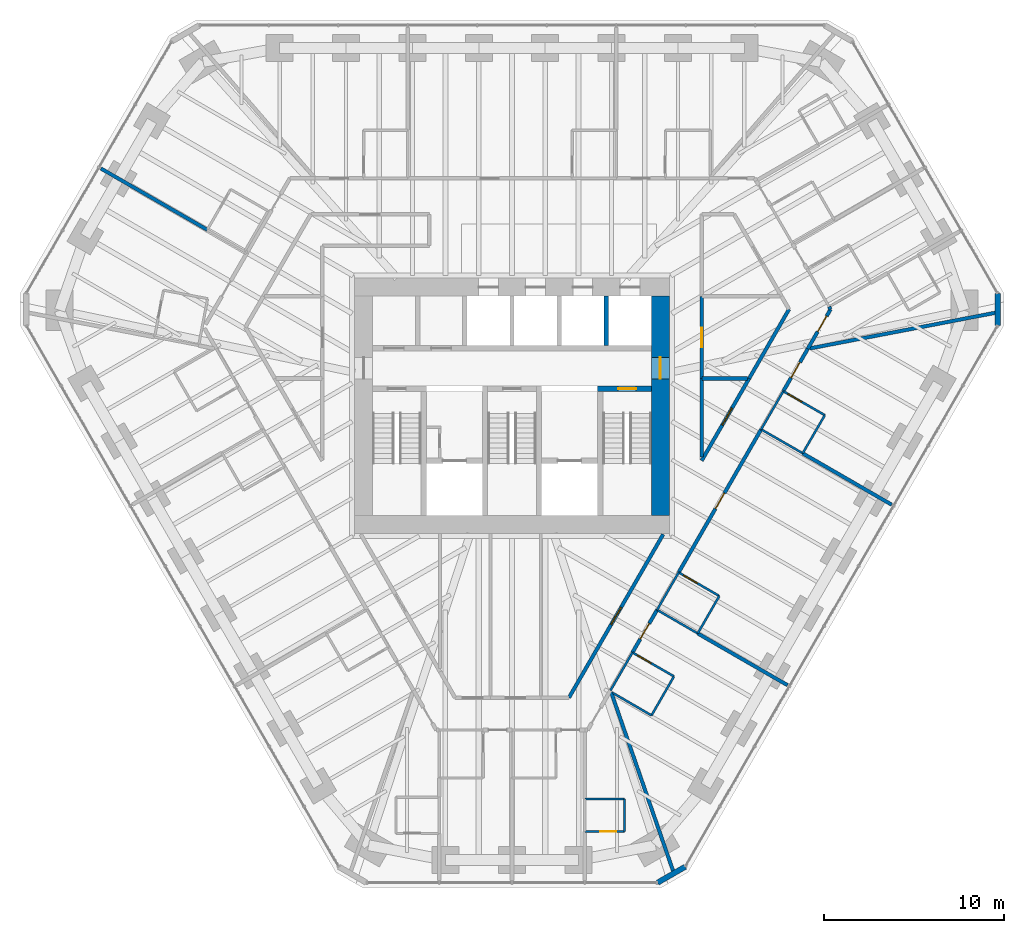
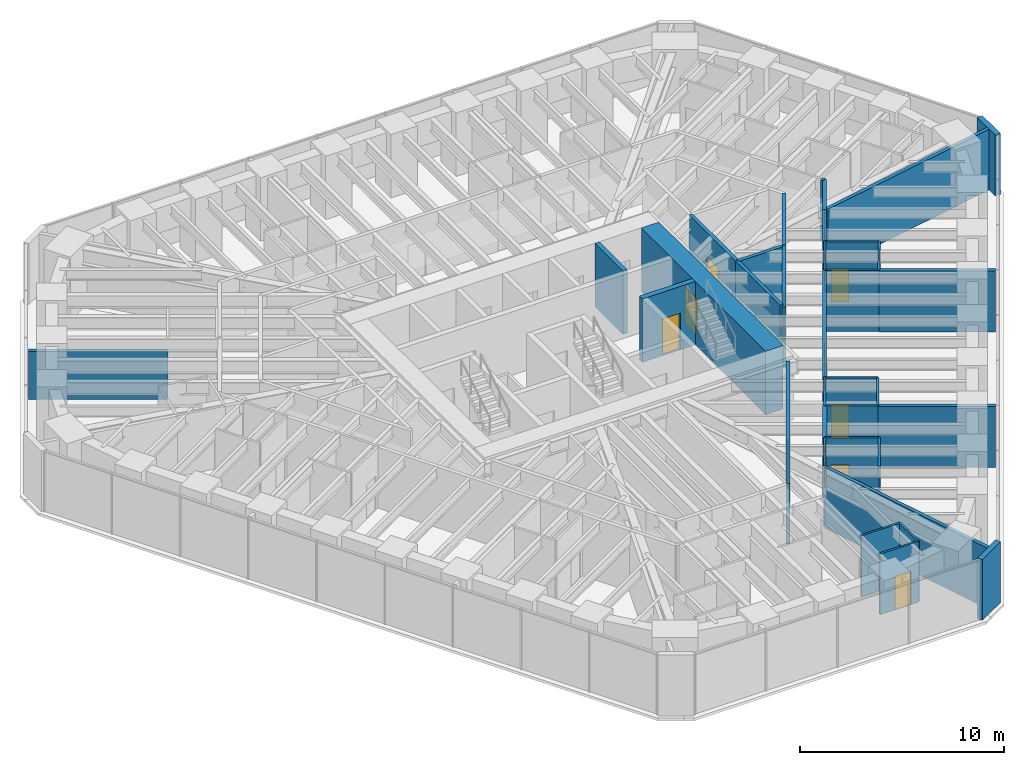
# One storey, part 13 of 17: 36 walls, 13 doors, 13 openings.
"""IFC4 building model written with IfcOpenShell, lengths in metres."""

from ifc_helpers import new_model, si_unit, direction, frame, frame_2d, origin, place, context, subcontext, project, spatial, rectangle, extrude, material, layer, layer_set, type_object, element, fill, save


model = new_model("IFC4")

# Units and contexts
model_context = context("Model", 3, precision=1e-05, world=origin(), true_north=direction((0.0, 1.0)))
body_context = subcontext(model_context, "Body", "Model", "MODEL_VIEW")
ifc_project = project(units=[si_unit("LENGTHUNIT", "METRE"), si_unit("AREAUNIT", "SQUARE_METRE"), si_unit("VOLUMEUNIT", "CUBIC_METRE"), si_unit("PLANEANGLEUNIT", "RADIAN"), si_unit("MASSUNIT", "GRAM", prefix="KILO")], contexts=[model_context])

# Site, building, storey
site_placement = place(None, origin())
site = spatial("IfcSite", under=ifc_project, at=site_placement, CompositionType="ELEMENT")
building_placement = place(site_placement, origin())
building = spatial("IfcBuilding", under=site, at=building_placement, Name="Sandreach Pilgrim Tower", CompositionType="ELEMENT")
storey_placement = place(building_placement, frame((0.0, 0.0, 217.39990234375)))
storey = spatial("IfcBuildingStorey", under=building, at=storey_placement, Name="L54", CompositionType="ELEMENT", Elevation=217.39990234375)

# Wall, opening, door
ifc_material_1 = material(Name="Moisture-resistant gypsum board on steel studs", Category="steel")
ifc_layer_1 = layer(ifc_material_1, 0.1201171875)
ifc_layer_set_1 = layer_set([ifc_layer_1], Name="Bathroom partition 120")
wall_type_1 = type_object("IfcWallType", Name="Bathroom partition 120", PredefinedType="PARTITIONING", material=ifc_layer_set_1)
wall_1_placement = place(storey_placement, frame((4.050048828125, -23.679931640625, 0.0), z_axis=(0.0, 0.0, 1.0), x_axis=(1.0, 0.0, 0.0)))
wall_1 = element("IfcWall", 1, at=wall_1_placement, inside=storey, type_object=wall_type_1, Name="Bathroom partition L54-085", PredefinedType="PARTITIONING", context=body_context, shape_type="SweptSolid", body=[
    extrude(rectangle(XDim=2.199951171875, YDim=0.1201171875, at=frame_2d((1.10009765625, 0.0))), origin(), (0.0, 0.0, 1.0), 3.64013671875),
])
opening_1_placement = place(wall_1_placement, frame((0.85009765625, 0.0, 0.0)))
opening_1 = element("IfcOpeningElement", 2, at=opening_1_placement, cuts=wall_1, Name="Opening D09-11B", PredefinedType="OPENING", context=body_context, shape_type="SweptSolid", body=[
    extrude(rectangle(XDim=0.89990234375, YDim=2.030029296875, at=frame_2d((0.449951171875, 1.01513671875))), frame((0.0, 0.06005859375, 0.0), z_axis=(0.0, -1.0, 0.0), x_axis=(1.0, 0.0, 0.0)), (0.0, 0.0, 1.0), 0.1201171875),
])
ifc_material_2 = material(Name="Timber door, steel frame", Category="steel")
door_type_1 = type_object("IfcDoorType", Name="Bathroom door", OperationType="SINGLE_SWING_LEFT", PredefinedType="DOOR", material=ifc_material_2)
door_1_placement = place(opening_1_placement, origin())
door_1 = element("IfcDoor", 3, at=door_1_placement, inside=storey, type_object=door_type_1, Name="Door 5411B", OperationType="SINGLE_SWING_RIGHT", OverallHeight=2.030029296875, OverallWidth=0.89990234375, PredefinedType="DOOR", context=body_context, shape_type="SweptSolid", body=[
    extrude(rectangle(XDim=0.89990234375, YDim=2.030029296875, at=frame_2d((0.449951171875, 1.01513671875))), frame((0.0, 0.02490234375, 0.0), z_axis=(0.0, -1.0, 0.0), x_axis=(1.0, 0.0, 0.0)), (0.0, 0.0, 1.0), 0.050048828125),
])
fill(opening_1, door_1)

# Walls
wall_2_placement = place(storey_placement, frame((5.47998046875, -15.830078125, 0.0), z_axis=(0.0, 0.0, 1.0), x_axis=(0.50122183301, 0.865318828013, 0.0)))
element("IfcWall", 4, at=wall_2_placement, inside=storey, type_object=wall_type_1, Name="Bathroom partition L54-089", PredefinedType="PARTITIONING", context=body_context, shape_type="SweptSolid", body=[
    extrude(rectangle(XDim=2.4375, YDim=0.1201171875, at=frame_2d((1.21875, 0.0))), origin(), (0.0, 0.0, 1.0), 3.64013671875),
])
wall_3_placement = place(storey_placement, frame((5.615234375, -15.97509765625, 0.0), z_axis=(0.0, 0.0, 1.0), x_axis=(0.864873056518, -0.501990633487, 0.0)))
element("IfcWall", 5, at=wall_3_placement, inside=storey, type_object=wall_type_1, Name="Bathroom partition L54-091", PredefinedType="PARTITIONING", context=body_context, shape_type="SweptSolid", body=[
    extrude(rectangle(XDim=2.47998046875, YDim=0.1201171875, at=frame_2d((1.239990234375, 0.0))), origin(), (0.0, 0.0, 1.0), 3.0380859375),
])
wall_4_placement = place(storey_placement, frame((6.25, -23.679931640625, 0.0), z_axis=(0.0, 0.0, 1.0), x_axis=(0.0, 1.0, 0.0)))
element("IfcWall", 6, at=wall_4_placement, inside=storey, type_object=wall_type_1, Name="Bathroom partition L54-096", PredefinedType="PARTITIONING", context=body_context, shape_type="SweptSolid", body=[
    extrude(rectangle(XDim=1.809814453125, YDim=0.1201171875, at=frame_2d((0.90478515625, 0.0))), origin(), (0.0, 0.0, 1.0), 3.64013671875),
])
wall_5_placement = place(storey_placement, frame((6.25, -21.8701171875, 0.0), z_axis=(0.0, 0.0, 1.0), x_axis=(-1.0, 0.0, 0.0)))
element("IfcWall", 7, at=wall_5_placement, inside=storey, type_object=wall_type_1, Name="Bathroom partition L54-097", PredefinedType="PARTITIONING", context=body_context, shape_type="SweptSolid", body=[
    extrude(rectangle(XDim=2.199951171875, YDim=0.1201171875, at=frame_2d((1.10009765625, 0.0))), origin(), (0.0, 0.0, 1.0), 3.64013671875),
])
wall_6_placement = place(storey_placement, frame((7.760009765625, -17.219970703125, 0.0), z_axis=(0.0, 0.0, 1.0), x_axis=(0.499159685399, 0.866510016372, 0.0)))
element("IfcWall", 8, at=wall_6_placement, inside=storey, type_object=wall_type_1, Name="Bathroom partition L54-098", PredefinedType="PARTITIONING", context=body_context, shape_type="SweptSolid", body=[
    extrude(rectangle(XDim=2.504150390625, YDim=0.1201171875, at=frame_2d((1.251953125, 0.0))), origin(), (0.0, 0.0, 1.0), 3.64013671875),
])
wall_7_placement = place(storey_placement, frame((8.070068359375, -11.35009765625, 0.0), z_axis=(0.0, 0.0, 1.0), x_axis=(0.499693115345, 0.866202511239, 0.0)))
element("IfcWall", 9, at=wall_7_placement, inside=storey, type_object=wall_type_1, Name="Bathroom partition L54-100", PredefinedType="PARTITIONING", context=body_context, shape_type="SweptSolid", body=[
    extrude(rectangle(XDim=2.4013671875, YDim=0.1201171875, at=frame_2d((1.20068359375, 0.0))), origin(), (0.0, 0.0, 1.0), 3.64013671875),
])
wall_8_placement = place(storey_placement, frame((8.070068359375, -11.35009765625, 0.0), z_axis=(0.0, 0.0, 1.0), x_axis=(0.865195830568, -0.501434118073, 0.0)))
element("IfcWall", 10, at=wall_8_placement, inside=storey, type_object=wall_type_1, Name="Bathroom partition L54-101", PredefinedType="PARTITIONING", context=body_context, shape_type="SweptSolid", body=[
    extrude(rectangle(XDim=2.612060546875, YDim=0.1201171875, at=frame_2d((1.30615234375, 0.0))), origin(), (0.0, 0.0, 1.0), 3.64013671875),
])

# Wall, opening, door
wall_9_placement = place(storey_placement, frame((9.010009765625, -15.050048828125, 0.0), z_axis=(0.0, 0.0, 1.0), x_axis=(-0.866615255992, 0.498976951453, 0.0)))
wall_9 = element("IfcWall", 11, at=wall_9_placement, inside=storey, type_object=wall_type_1, Name="Bathroom partition L54-105", PredefinedType="PARTITIONING", context=body_context, shape_type="SweptSolid", body=[
    extrude(rectangle(XDim=2.66552734375, YDim=0.1201171875, at=frame_2d((1.332763671875, 0.0))), origin(), (0.0, 0.0, 1.0), 3.64013671875),
])
opening_2_placement = place(wall_9_placement, frame((1.465576171875, 0.0, 0.0)))
opening_2 = element("IfcOpeningElement", 12, at=opening_2_placement, cuts=wall_9, Name="Opening D09-10B", PredefinedType="OPENING", context=body_context, shape_type="SweptSolid", body=[
    extrude(rectangle(XDim=0.89990234375, YDim=2.030029296875, at=frame_2d((0.449951171875, 1.01513671875))), frame((0.0, 0.06005859375, 0.0), z_axis=(0.0, -1.0, 0.0), x_axis=(1.0, 0.0, 0.0)), (0.0, 0.0, 1.0), 0.1201171875),
])
door_2_placement = place(opening_2_placement, origin())
door_2 = element("IfcDoor", 13, at=door_2_placement, inside=storey, type_object=door_type_1, Name="Door 5410B", OperationType="SINGLE_SWING_RIGHT", OverallHeight=2.030029296875, OverallWidth=0.89990234375, PredefinedType="DOOR", context=body_context, shape_type="SweptSolid", body=[
    extrude(rectangle(XDim=0.89990234375, YDim=2.030029296875, at=frame_2d((0.449951171875, 1.01513671875))), frame((0.0, 0.02490234375, 0.0), z_axis=(0.0, -1.0, 0.0), x_axis=(1.0, 0.0, 0.0)), (0.0, 0.0, 1.0), 0.050048828125),
])
fill(opening_2, door_2)

# Wall
wall_10_placement = place(storey_placement, frame((10.330078125, -12.659912109375, 0.0), z_axis=(0.0, 0.0, 1.0), x_axis=(0.499737123639, 0.866177122335, 0.0)))
element("IfcWall", 14, at=wall_10_placement, inside=storey, type_object=wall_type_1, Name="Bathroom partition L54-107", PredefinedType="PARTITIONING", context=body_context, shape_type="SweptSolid", body=[
    extrude(rectangle(XDim=2.401123046875, YDim=0.1201171875, at=frame_2d((1.20068359375, 0.0))), origin(), (0.0, 0.0, 1.0), 3.64013671875),
])

# Wall, opening, door
wall_11_placement = place(storey_placement, frame((11.530029296875, -10.580078125, 0.0), z_axis=(0.0, 0.0, 1.0), x_axis=(-0.865155281359, 0.50150407689, 0.0)))
wall_11 = element("IfcWall", 15, at=wall_11_placement, inside=storey, type_object=wall_type_1, Name="Bathroom partition L54-118", PredefinedType="PARTITIONING", context=body_context, shape_type="SweptSolid", body=[
    extrude(rectangle(XDim=2.6123046875, YDim=0.1201171875, at=frame_2d((1.30615234375, 0.0))), origin(), (0.0, 0.0, 1.0), 3.64013671875),
])
opening_3_placement = place(wall_11_placement, frame((1.412109375, 0.0, 0.0)))
opening_3 = element("IfcOpeningElement", 16, at=opening_3_placement, cuts=wall_11, Name="Opening D09-09B", PredefinedType="OPENING", context=body_context, shape_type="SweptSolid", body=[
    extrude(rectangle(XDim=0.89990234375, YDim=2.030029296875, at=frame_2d((0.449951171875, 1.01513671875))), frame((0.0, 0.06005859375, 0.0), z_axis=(0.0, -1.0, 0.0), x_axis=(1.0, 0.0, 0.0)), (0.0, 0.0, 1.0), 0.1201171875),
])
door_3_placement = place(opening_3_placement, origin())
door_3 = element("IfcDoor", 17, at=door_3_placement, inside=storey, type_object=door_type_1, Name="Door 5409B", OperationType="SINGLE_SWING_RIGHT", OverallHeight=2.030029296875, OverallWidth=0.89990234375, PredefinedType="DOOR", context=body_context, shape_type="SweptSolid", body=[
    extrude(rectangle(XDim=0.89990234375, YDim=2.030029296875, at=frame_2d((0.449951171875, 1.01513671875))), frame((0.0, 0.02490234375, 0.0), z_axis=(0.0, -1.0, 0.0), x_axis=(1.0, 0.0, 0.0)), (0.0, 0.0, 1.0), 0.050048828125),
])
fill(opening_3, door_3)

# Walls
wall_12_placement = place(storey_placement, frame((13.860107421875, -1.31005859375, 0.0), z_axis=(0.0, 0.0, 1.0), x_axis=(0.501813488763, 0.864975850817, 0.0)))
element("IfcWall", 18, at=wall_12_placement, inside=storey, type_object=wall_type_1, Name="Bathroom partition L54-125", PredefinedType="PARTITIONING", context=body_context, shape_type="SweptSolid", body=[
    extrude(rectangle(XDim=2.451171875, YDim=0.1201171875, at=frame_2d((1.2255859375, 0.0))), origin(), (0.0, 0.0, 1.0), 3.64013671875),
])
wall_13_placement = place(storey_placement, frame((16.169921875, -2.639892578125, 0.0), z_axis=(0.0, 0.0, 1.0), x_axis=(-0.86663205897, 0.498947767172, 0.0)))
element("IfcWall", 19, at=wall_13_placement, inside=storey, type_object=wall_type_1, Name="Bathroom partition L54-134", PredefinedType="PARTITIONING", context=body_context, shape_type="SweptSolid", body=[
    extrude(rectangle(XDim=2.665283203125, YDim=0.1201171875, at=frame_2d((1.33251953125, 0.0))), origin(), (0.0, 0.0, 1.0), 3.64013671875),
])
wall_14_placement = place(storey_placement, frame((16.169921875, -2.639892578125, 0.0), z_axis=(0.0, 0.0, 1.0), x_axis=(0.501856726365, 0.86495076519, 0.0)))
element("IfcWall", 20, at=wall_14_placement, inside=storey, type_object=wall_type_1, Name="Bathroom partition L54-135", PredefinedType="PARTITIONING", context=body_context, shape_type="SweptSolid", body=[
    extrude(rectangle(XDim=2.450927734375, YDim=0.1201171875, at=frame_2d((1.2255859375, 0.0))), origin(), (0.0, 0.0, 1.0), 3.64013671875),
])

# Wall, opening, door
wall_15_placement = place(storey_placement, frame((17.39990234375, -0.52001953125, 0.0), z_axis=(0.0, 0.0, 1.0), x_axis=(-0.866592449628, 0.499016559092, 0.0)))
wall_15 = element("IfcWall", 21, at=wall_15_placement, inside=storey, type_object=wall_type_1, Name="Bathroom partition L54-140", PredefinedType="PARTITIONING", context=body_context, shape_type="SweptSolid", body=[
    extrude(rectangle(XDim=2.665283203125, YDim=0.1201171875, at=frame_2d((1.33251953125, 0.0))), origin(), (0.0, 0.0, 1.0), 3.64013671875),
])
opening_4_placement = place(wall_15_placement, frame((1.465576171875, 0.0, 0.0)))
opening_4 = element("IfcOpeningElement", 22, at=opening_4_placement, cuts=wall_15, Name="Opening D09-08B", PredefinedType="OPENING", context=body_context, shape_type="SweptSolid", body=[
    extrude(rectangle(XDim=0.89990234375, YDim=2.030029296875, at=frame_2d((0.449951171875, 1.01513671875))), frame((0.0, 0.06005859375, 0.0), z_axis=(0.0, -1.0, 0.0), x_axis=(1.0, 0.0, 0.0)), (0.0, 0.0, 1.0), 0.1201171875),
])
door_4_placement = place(opening_4_placement, origin())
door_4 = element("IfcDoor", 23, at=door_4_placement, inside=storey, type_object=door_type_1, Name="Door 5408B", OperationType="SINGLE_SWING_RIGHT", OverallHeight=2.030029296875, OverallWidth=0.89990234375, PredefinedType="DOOR", context=body_context, shape_type="SweptSolid", body=[
    extrude(rectangle(XDim=0.89990234375, YDim=2.030029296875, at=frame_2d((0.449951171875, 1.01513671875))), frame((0.0, 0.02490234375, 0.0), z_axis=(0.0, -1.0, 0.0), x_axis=(1.0, 0.0, 0.0)), (0.0, 0.0, 1.0), 0.050048828125),
])
fill(opening_4, door_4)

ifc_material_3 = material(Name="Concrete 10000 psi", Category="concrete")
ifc_layer_2 = layer(ifc_material_3, 0.300048828125)
ifc_layer_set_2 = layer_set([ifc_layer_2], Name="Core inner wall 300")
wall_type_2 = type_object("IfcWallType", Name="Core inner wall 300", PredefinedType="SHEAR", material=ifc_layer_set_2)
wall_16_placement = place(storey_placement, frame((4.75, 0.949951171875, 0.0), z_axis=(0.0, 0.0, 1.0), x_axis=(1.0, 0.0, 0.0)))
wall_16 = element("IfcWall", 24, at=wall_16_placement, inside=storey, type_object=wall_type_2, Name="Core wall SN2 L54", PredefinedType="SHEAR", context=body_context, shape_type="SweptSolid", body=[
    extrude(rectangle(XDim=3.0, YDim=0.300048828125, at=frame_2d((1.5, 0.0))), origin(), (0.0, 0.0, 1.0), 3.800048828125),
])
opening_5_placement = place(wall_16_placement, frame((1.14990234375, 0.0, 0.0)))
opening_5 = element("IfcOpeningElement", 25, at=opening_5_placement, cuts=wall_16, Name="Opening D10S-ST2", PredefinedType="OPENING", context=body_context, shape_type="SweptSolid", body=[
    extrude(rectangle(XDim=1.0, YDim=2.199951171875, at=frame_2d((0.5, 1.10009765625))), frame((0.0, 0.14990234375, 0.0), z_axis=(0.0, -1.0, 0.0), x_axis=(1.0, 0.0, 0.0)), (0.0, 0.0, 1.0), 0.300048828125),
])
ifc_material_4 = material(Name="Steel door and frame", Category="steel")
door_type_2 = type_object("IfcDoorType", Name="Stair door", OperationType="SINGLE_SWING_LEFT", PredefinedType="DOOR", material=ifc_material_4)
door_5_placement = place(opening_5_placement, origin())
door_5 = element("IfcDoor", 26, at=door_5_placement, inside=storey, type_object=door_type_2, Name="Stair door ST2 L54", OperationType="SINGLE_SWING_RIGHT", OverallHeight=2.199951171875, OverallWidth=1.0, PredefinedType="DOOR", context=body_context, shape_type="SweptSolid", body=[
    extrude(rectangle(XDim=1.0, YDim=2.199951171875, at=frame_2d((0.5, 1.10009765625))), frame((0.0, 0.02490234375, 0.0), z_axis=(0.0, -1.0, 0.0), x_axis=(1.0, 0.0, 0.0)), (0.0, 0.0, 1.0), 0.050048828125),
])
fill(opening_5, door_5)

ifc_material_5 = material(Name="Concrete 10000 psi", Category="concrete")
ifc_layer_3 = layer(ifc_material_5, 1.0)
ifc_layer_set_3 = layer_set([ifc_layer_3], Name="Core wall 1000")
wall_type_3 = type_object("IfcWallType", Name="Core wall 1000", PredefinedType="SHEAR", material=ifc_layer_set_3)
wall_17_placement = place(storey_placement, frame((8.25, -6.10009765625, 0.0), z_axis=(0.0, 0.0, 1.0), x_axis=(0.0, 1.0, 0.0)))
wall_17 = element("IfcWall", 27, at=wall_17_placement, inside=storey, type_object=wall_type_3, Name="Core wall E L54", PredefinedType="SHEAR", context=body_context, shape_type="SweptSolid", body=[
    extrude(rectangle(XDim=12.2001953125, YDim=1.0, at=frame_2d((6.10009765625, 0.0))), origin(), (0.0, 0.0, 1.0), 3.800048828125),
])
opening_6_placement = place(wall_17_placement, frame((7.60009765625, 0.0, 0.0)))
opening_6 = element("IfcOpeningElement", 28, at=opening_6_placement, cuts=wall_17, Name="Opening D12F-E", PredefinedType="OPENING", context=body_context, shape_type="SweptSolid", body=[
    extrude(rectangle(XDim=1.199951171875, YDim=2.199951171875, at=frame_2d((0.60009765625, 1.10009765625))), frame((0.0, 0.5, 0.0), z_axis=(0.0, -1.0, 0.0), x_axis=(1.0, 0.0, 0.0)), (0.0, 0.0, 1.0), 1.0),
])
ifc_material_6 = material(Name="Steel door and frame", Category="steel")
door_type_3 = type_object("IfcDoorType", Name="Fire lobby door", OperationType="SINGLE_SWING_LEFT", PredefinedType="DOOR", material=ifc_material_6)
door_6_placement = place(opening_6_placement, origin())
door_6 = element("IfcDoor", 29, at=door_6_placement, inside=storey, type_object=door_type_3, Name="Fire service lobby door E L54", OperationType="SINGLE_SWING_RIGHT", OverallHeight=2.199951171875, OverallWidth=1.199951171875, PredefinedType="DOOR", context=body_context, shape_type="SweptSolid", body=[
    extrude(rectangle(XDim=1.199951171875, YDim=2.199951171875, at=frame_2d((0.60009765625, 1.10009765625))), frame((0.0, 0.02490234375, 0.0), z_axis=(0.0, -1.0, 0.0), x_axis=(1.0, 0.0, 0.0)), (0.0, 0.0, 1.0), 0.050048828125),
])
fill(opening_6, door_6)

ifc_material_7 = material(Name="Gypsum board on steel studs, two layers each side", Category="steel")
ifc_layer_4 = layer(ifc_material_7, 0.199951171875)
ifc_layer_set_4 = layer_set([ifc_layer_4], Name="Corridor wall 200")
wall_type_4 = type_object("IfcWallType", Name="Corridor wall 200", PredefinedType="PARTITIONING", material=ifc_layer_set_4)
wall_18_placement = place(storey_placement, frame((8.070068359375, -11.35009765625, 0.0), z_axis=(0.0, 0.0, 1.0), x_axis=(-0.499889730522, -0.866089058537, 0.0)))
wall_18 = element("IfcWall", 30, at=wall_18_placement, inside=storey, type_object=wall_type_4, Name="Corridor wall L54-099", PredefinedType="PARTITIONING", context=body_context, shape_type="SweptSolid", body=[
    extrude(rectangle(XDim=2.7373046875, YDim=0.199951171875, at=frame_2d((1.36865234375, 0.0))), origin(), (0.0, 0.0, 1.0), 3.64013671875),
])
opening_7_placement = place(wall_18_placement, frame((0.868896484375, 0.0, 0.0)))
opening_7 = element("IfcOpeningElement", 31, at=opening_7_placement, cuts=wall_18, Name="Opening D10-10", PredefinedType="OPENING", context=body_context, shape_type="SweptSolid", body=[
    extrude(rectangle(XDim=1.0, YDim=2.1298828125, at=frame_2d((0.5, 1.06494140625))), frame((0.0, 0.10009765625, 0.0), z_axis=(0.0, -1.0, 0.0), x_axis=(1.0, 0.0, 0.0)), (0.0, 0.0, 1.0), 0.199951171875),
])
ifc_material_8 = material(Name="Steel door and frame", Category="steel")
door_type_4 = type_object("IfcDoorType", Name="Guest room entry door", OperationType="SINGLE_SWING_LEFT", PredefinedType="DOOR", material=ifc_material_8)
door_7_placement = place(opening_7_placement, origin())
door_7 = element("IfcDoor", 32, at=door_7_placement, inside=storey, type_object=door_type_4, Name="Door 5410", OperationType="SINGLE_SWING_LEFT", OverallHeight=2.1298828125, OverallWidth=1.0, PredefinedType="DOOR", context=body_context, shape_type="SweptSolid", body=[
    extrude(rectangle(XDim=1.0, YDim=2.1298828125, at=frame_2d((0.5, 1.06494140625))), frame((0.0, 0.02490234375, 0.0), z_axis=(0.0, -1.0, 0.0), x_axis=(1.0, 0.0, 0.0)), (0.0, 0.0, 1.0), 0.050048828125),
])
fill(opening_7, door_7)

wall_19_placement = place(storey_placement, frame((8.409912109375, -7.14990234375, 0.0), z_axis=(0.0, 0.0, 1.0), x_axis=(-0.499828628176, -0.866124322748, 0.0)))
wall_19 = element("IfcWall", 33, at=wall_19_placement, inside=storey, type_object=wall_type_4, Name="Corridor wall L54-102", PredefinedType="PARTITIONING", context=body_context, shape_type="SweptSolid", body=[
    extrude(rectangle(XDim=10.483642578125, YDim=0.199951171875, at=frame_2d((5.24169921875, 0.0))), origin(), (0.0, 0.0, 1.0), 3.64013671875),
])
opening_8_placement = place(wall_19_placement, frame((4.691650390625, 0.0, 0.0)))
opening_8 = element("IfcOpeningElement", 34, at=opening_8_placement, cuts=wall_19, Name="Opening D11H-S4", PredefinedType="OPENING", context=body_context, shape_type="SweptSolid", body=[
    extrude(rectangle(XDim=1.10009765625, YDim=2.199951171875, at=frame_2d((0.550048828125, 1.10009765625))), frame((0.0, 0.10009765625, 0.0), z_axis=(0.0, -1.0, 0.0), x_axis=(1.0, 0.0, 0.0)), (0.0, 0.0, 1.0), 0.199951171875),
])
ifc_material_9 = material(Name="Steel door and frame", Category="steel")
door_type_5 = type_object("IfcDoorType", Name="Back of house door", OperationType="SINGLE_SWING_LEFT", PredefinedType="DOOR", material=ifc_material_9)
door_8_placement = place(opening_8_placement, origin())
door_8 = element("IfcDoor", 35, at=door_8_placement, inside=storey, type_object=door_type_5, Name="Door 54S4", OperationType="SINGLE_SWING_LEFT", OverallHeight=2.199951171875, OverallWidth=1.10009765625, PredefinedType="DOOR", context=body_context, shape_type="SweptSolid", body=[
    extrude(rectangle(XDim=1.10009765625, YDim=2.199951171875, at=frame_2d((0.550048828125, 1.10009765625))), frame((0.0, 0.02490234375, 0.0), z_axis=(0.0, -1.0, 0.0), x_axis=(1.0, 0.0, 0.0)), (0.0, 0.0, 1.0), 0.050048828125),
])
fill(opening_8, door_8)

wall_20_placement = place(storey_placement, frame((9.27001953125, -9.27001953125, 0.0), z_axis=(0.0, 0.0, 1.0), x_axis=(0.499543028754, 0.866289075554, 0.0)))
wall_20 = element("IfcWall", 36, at=wall_20_placement, inside=storey, type_object=wall_type_4, Name="Corridor wall L54-106", PredefinedType="PARTITIONING", context=body_context, shape_type="SweptSolid", body=[
    extrude(rectangle(XDim=9.1884765625, YDim=0.199951171875, at=frame_2d((4.59423828125, 0.0))), origin(), (0.0, 0.0, 1.0), 3.64013671875),
])
opening_9_placement = place(wall_20_placement, frame((4.09423828125, 0.0, 0.0)))
opening_9 = element("IfcOpeningElement", 37, at=opening_9_placement, cuts=wall_20, Name="Opening D10-09", PredefinedType="OPENING", context=body_context, shape_type="SweptSolid", body=[
    extrude(rectangle(XDim=1.0, YDim=2.1298828125, at=frame_2d((0.5, 1.06494140625))), frame((0.0, 0.10009765625, 0.0), z_axis=(0.0, -1.0, 0.0), x_axis=(1.0, 0.0, 0.0)), (0.0, 0.0, 1.0), 0.199951171875),
])
door_9_placement = place(opening_9_placement, origin())
door_9 = element("IfcDoor", 38, at=door_9_placement, inside=storey, type_object=door_type_4, Name="Door 5409", OperationType="SINGLE_SWING_LEFT", OverallHeight=2.1298828125, OverallWidth=1.0, PredefinedType="DOOR", context=body_context, shape_type="SweptSolid", body=[
    extrude(rectangle(XDim=1.0, YDim=2.1298828125, at=frame_2d((0.5, 1.06494140625))), frame((0.0, 0.02490234375, 0.0), z_axis=(0.0, -1.0, 0.0), x_axis=(1.0, 0.0, 0.0)), (0.0, 0.0, 1.0), 0.050048828125),
])
fill(opening_9, door_9)

# Wall
wall_21_placement = place(storey_placement, frame((10.550048828125, -2.85498046875, 0.0), z_axis=(0.0, 0.0, 1.0), x_axis=(0.0, 1.0, 0.0)))
element("IfcWall", 39, at=wall_21_placement, inside=storey, type_object=wall_type_4, Name="Corridor wall L54-109", PredefinedType="PARTITIONING", context=body_context, shape_type="SweptSolid", body=[
    extrude(rectangle(XDim=4.375, YDim=0.199951171875, at=frame_2d((2.1875, 0.0))), origin(), (0.0, 0.0, 1.0), 3.64013671875),
])

# Wall, opening, door
wall_22_placement = place(storey_placement, frame((10.550048828125, 1.52001953125, 0.0), z_axis=(0.0, 0.0, 1.0), x_axis=(0.0, 1.0, 0.0)))
wall_22 = element("IfcWall", 40, at=wall_22_placement, inside=storey, type_object=wall_type_4, Name="Corridor wall L54-110", PredefinedType="PARTITIONING", context=body_context, shape_type="SweptSolid", body=[
    extrude(rectangle(XDim=4.570068359375, YDim=0.199951171875, at=frame_2d((2.28515625, 0.0))), origin(), (0.0, 0.0, 1.0), 3.64013671875),
])
opening_10_placement = place(wall_22_placement, frame((1.735107421875, 0.0, 0.0)))
opening_10 = element("IfcOpeningElement", 41, at=opening_10_placement, cuts=wall_22, Name="Opening D11H-M06", PredefinedType="OPENING", context=body_context, shape_type="SweptSolid", body=[
    extrude(rectangle(XDim=1.10009765625, YDim=2.199951171875, at=frame_2d((0.550048828125, 1.10009765625))), frame((0.0, 0.10009765625, 0.0), z_axis=(0.0, -1.0, 0.0), x_axis=(1.0, 0.0, 0.0)), (0.0, 0.0, 1.0), 0.199951171875),
])
door_10_placement = place(opening_10_placement, origin())
door_10 = element("IfcDoor", 42, at=door_10_placement, inside=storey, type_object=door_type_5, Name="Door 54M06", OperationType="SINGLE_SWING_LEFT", OverallHeight=2.199951171875, OverallWidth=1.10009765625, PredefinedType="DOOR", context=body_context, shape_type="SweptSolid", body=[
    extrude(rectangle(XDim=1.10009765625, YDim=2.199951171875, at=frame_2d((0.550048828125, 1.10009765625))), frame((0.0, 0.02490234375, 0.0), z_axis=(0.0, -1.0, 0.0), x_axis=(1.0, 0.0, 0.0)), (0.0, 0.0, 1.0), 0.050048828125),
])
fill(opening_10, door_10)

wall_23_placement = place(storey_placement, frame((13.18994140625, 1.52001953125, 0.0), z_axis=(0.0, 0.0, 1.0), x_axis=(-0.500193590286, -0.865913605527, 0.0)))
wall_23 = element("IfcWall", 43, at=wall_23_placement, inside=storey, type_object=wall_type_4, Name="Corridor wall L54-120", PredefinedType="PARTITIONING", context=body_context, shape_type="SweptSolid", body=[
    extrude(rectangle(XDim=5.27783203125, YDim=0.199951171875, at=frame_2d((2.638916015625, 0.0))), origin(), (0.0, 0.0, 1.0), 3.64013671875),
])
opening_11_placement = place(wall_23_placement, frame((1.89990234375, 0.0, 0.0)))
opening_11 = element("IfcOpeningElement", 44, at=opening_11_placement, cuts=wall_23, Name="Opening D11H-M04", PredefinedType="OPENING", context=body_context, shape_type="SweptSolid", body=[
    extrude(rectangle(XDim=1.10009765625, YDim=2.199951171875, at=frame_2d((0.550048828125, 1.10009765625))), frame((0.0, 0.10009765625, 0.0), z_axis=(0.0, -1.0, 0.0), x_axis=(1.0, 0.0, 0.0)), (0.0, 0.0, 1.0), 0.199951171875),
])
door_11_placement = place(opening_11_placement, origin())
door_11 = element("IfcDoor", 45, at=door_11_placement, inside=storey, type_object=door_type_5, Name="Door 54M04", OperationType="SINGLE_SWING_LEFT", OverallHeight=2.199951171875, OverallWidth=1.10009765625, PredefinedType="DOOR", context=body_context, shape_type="SweptSolid", body=[
    extrude(rectangle(XDim=1.10009765625, YDim=2.199951171875, at=frame_2d((0.550048828125, 1.10009765625))), frame((0.0, 0.02490234375, 0.0), z_axis=(0.0, -1.0, 0.0), x_axis=(1.0, 0.0, 0.0)), (0.0, 0.0, 1.0), 0.050048828125),
])
fill(opening_11, door_11)

wall_24_placement = place(storey_placement, frame((15.090087890625, 0.81005859375, 0.0), z_axis=(0.0, 0.0, 1.0), x_axis=(0.499282656393, 0.866439166373, 0.0)))
wall_24 = element("IfcWall", 46, at=wall_24_placement, inside=storey, type_object=wall_type_4, Name="Corridor wall L54-129", PredefinedType="PARTITIONING", context=body_context, shape_type="SweptSolid", body=[
    extrude(rectangle(XDim=2.7236328125, YDim=0.199951171875, at=frame_2d((1.36181640625, 0.0))), origin(), (0.0, 0.0, 1.0), 3.64013671875),
])
opening_12_placement = place(wall_24_placement, frame((0.86181640625, 0.0, 0.0)))
opening_12 = element("IfcOpeningElement", 47, at=opening_12_placement, cuts=wall_24, Name="Opening D10-08", PredefinedType="OPENING", context=body_context, shape_type="SweptSolid", body=[
    extrude(rectangle(XDim=1.0, YDim=2.1298828125, at=frame_2d((0.5, 1.06494140625))), frame((0.0, 0.10009765625, 0.0), z_axis=(0.0, -1.0, 0.0), x_axis=(1.0, 0.0, 0.0)), (0.0, 0.0, 1.0), 0.199951171875),
])
door_12_placement = place(opening_12_placement, origin())
door_12 = element("IfcDoor", 48, at=door_12_placement, inside=storey, type_object=door_type_4, Name="Door 5408", OperationType="SINGLE_SWING_LEFT", OverallHeight=2.1298828125, OverallWidth=1.0, PredefinedType="DOOR", context=body_context, shape_type="SweptSolid", body=[
    extrude(rectangle(XDim=1.0, YDim=2.1298828125, at=frame_2d((0.5, 1.06494140625))), frame((0.0, 0.02490234375, 0.0), z_axis=(0.0, -1.0, 0.0), x_axis=(1.0, 0.0, 0.0)), (0.0, 0.0, 1.0), 0.050048828125),
])
fill(opening_12, door_12)

# Wall
wall_25_placement = place(storey_placement, frame((15.409912109375, 5.3701171875, 0.0), z_axis=(0.0, 0.0, 1.0), x_axis=(-0.499513190454, -0.866306281036, 0.0)))
element("IfcWall", 49, at=wall_25_placement, inside=storey, type_object=wall_type_4, Name="Corridor wall L54-130", PredefinedType="PARTITIONING", context=body_context, shape_type="SweptSolid", body=[
    extrude(rectangle(XDim=4.4443359375, YDim=0.199951171875, at=frame_2d((2.22216796875, 0.0))), origin(), (0.0, 0.0, 1.0), 3.64013671875),
])

# Wall, opening, door
wall_26_placement = place(storey_placement, frame((16.449951171875, 3.169921875, 0.0), z_axis=(0.0, 0.0, 1.0), x_axis=(0.499922110319, 0.866070368743, 0.0)))
wall_26 = element("IfcWall", 50, at=wall_26_placement, inside=storey, type_object=wall_type_4, Name="Corridor wall L54-137", PredefinedType="PARTITIONING", context=body_context, shape_type="SweptSolid", body=[
    extrude(rectangle(XDim=2.54052734375, YDim=0.199951171875, at=frame_2d((1.270263671875, 0.0))), origin(), (0.0, 0.0, 1.0), 3.64013671875),
])
opening_13_placement = place(wall_26_placement, frame((1.10009765625, 0.0, 0.0)))
opening_13 = element("IfcOpeningElement", 51, at=opening_13_placement, cuts=wall_26, Name="Opening D10-07", PredefinedType="OPENING", context=body_context, shape_type="SweptSolid", body=[
    extrude(rectangle(XDim=1.0, YDim=2.1298828125, at=frame_2d((0.5, 1.06494140625))), frame((0.0, 0.10009765625, 0.0), z_axis=(0.0, -1.0, 0.0), x_axis=(1.0, 0.0, 0.0)), (0.0, 0.0, 1.0), 0.199951171875),
])
door_13_placement = place(opening_13_placement, origin())
door_13 = element("IfcDoor", 52, at=door_13_placement, inside=storey, type_object=door_type_4, Name="Door 5407", OperationType="SINGLE_SWING_RIGHT", OverallHeight=2.1298828125, OverallWidth=1.0, PredefinedType="DOOR", context=body_context, shape_type="SweptSolid", body=[
    extrude(rectangle(XDim=1.0, YDim=2.1298828125, at=frame_2d((0.5, 1.06494140625))), frame((0.0, 0.02490234375, 0.0), z_axis=(0.0, -1.0, 0.0), x_axis=(1.0, 0.0, 0.0)), (0.0, 0.0, 1.0), 0.050048828125),
])
fill(opening_13, door_13)

# Walls
wall_27_placement = place(storey_placement, frame((17.719970703125, 5.3701171875, 0.0), z_axis=(0.0, 0.0, 1.0), x_axis=(-0.540386452408, 0.841416948994, 0.0)))
element("IfcWall", 53, at=wall_27_placement, inside=storey, type_object=wall_type_4, Name="Corridor wall L54-143", PredefinedType="PARTITIONING", context=body_context, shape_type="SweptSolid", body=[
    extrude(rectangle(XDim=0.166259765625, YDim=0.199951171875, at=frame_2d((0.0830078125, 0.0))), origin(), (0.0, 0.0, 1.0), 3.64013671875),
])
ifc_material_10 = material(Name="Double steel stud acoustic wall, gypsum board", Category="steel")
ifc_layer_5 = layer(ifc_material_10, 0.199951171875)
ifc_layer_set_5 = layer_set([ifc_layer_5], Name="Party wall 200")
wall_type_5 = type_object("IfcWallType", Name="Party wall 200", PredefinedType="PARTITIONING", material=ifc_layer_set_5)
wall_28_placement = place(storey_placement, frame((-16.949951171875, 9.7900390625, 0.0), z_axis=(0.0, 0.0, 1.0), x_axis=(-0.866371236465, 0.499400521251, 0.0)))
element("IfcWall", 54, at=wall_28_placement, inside=storey, type_object=wall_type_5, Name="Party wall L54-011", PredefinedType="PARTITIONING", context=body_context, shape_type="SweptSolid", body=[
    extrude(rectangle(XDim=6.82861328125, YDim=0.199951171875, at=frame_2d((3.414306640625, 0.0))), origin(), (0.0, 0.0, 1.0), 2.878173828125),
])
wall_29_placement = place(storey_placement, frame((5.515380859375, -15.93212890625, 0.0), z_axis=(0.0, 0.0, 1.0), x_axis=(0.327594697431, -0.944818349851, 0.0)))
element("IfcWall", 55, at=wall_29_placement, inside=storey, type_object=wall_type_5, Name="Party wall L54-090", PredefinedType="PARTITIONING", context=body_context, shape_type="SweptSolid", body=[
    extrude(rectangle(XDim=10.668212890625, YDim=0.199951171875, at=frame_2d((5.333984375, 0.0))), origin(), (0.0, 0.0, 1.0), 3.64013671875),
])
wall_30_placement = place(storey_placement, frame((10.330078125, -12.659912109375, 0.0), z_axis=(0.0, 0.0, 1.0), x_axis=(0.866342721203, -0.499449986905, 0.0)))
element("IfcWall", 56, at=wall_30_placement, inside=storey, type_object=wall_type_5, Name="Party wall L54-108", PredefinedType="PARTITIONING", context=body_context, shape_type="SweptSolid", body=[
    extrude(rectangle(XDim=5.7666015625, YDim=0.199951171875, at=frame_2d((2.88330078125, 0.0))), origin(), (0.0, 0.0, 1.0), 3.64013671875),
])
wall_31_placement = place(storey_placement, frame((10.56005859375, 1.52001953125, 0.0), z_axis=(0.0, 0.0, 1.0), x_axis=(1.0, 0.0, 0.0)))
element("IfcWall", 57, at=wall_31_placement, inside=storey, type_object=wall_type_5, Name="Party wall L54-112", PredefinedType="PARTITIONING", context=body_context, shape_type="SweptSolid", body=[
    extrude(rectangle(XDim=2.550048828125, YDim=0.199951171875, at=frame_2d((1.27490234375, 0.0))), origin(), (0.0, 0.0, 1.0), 3.64013671875),
])
wall_32_placement = place(storey_placement, frame((16.168212890625, -2.642822265625, 0.0), z_axis=(0.0, 0.0, 1.0), x_axis=(0.865980633471, -0.500077536441, 0.0)))
element("IfcWall", 58, at=wall_32_placement, inside=storey, type_object=wall_type_5, Name="Party wall L54-133", PredefinedType="PARTITIONING", context=body_context, shape_type="SweptSolid", body=[
    extrude(rectangle(XDim=5.71337890625, YDim=0.199951171875, at=frame_2d((2.856689453125, 0.0))), origin(), (0.0, 0.0, 1.0), 3.64013671875),
])
wall_33_placement = place(storey_placement, frame((27.04052734375, 5.204345703125, 0.0), z_axis=(0.0, 0.0, 1.0), x_axis=(-0.98204561609, -0.188643600256, 0.0)))
element("IfcWall", 59, at=wall_33_placement, inside=storey, type_object=wall_type_5, Name="Party wall L54-157", PredefinedType="PARTITIONING", context=body_context, shape_type="SweptSolid", body=[
    extrude(rectangle(XDim=10.6640625, YDim=0.199951171875, at=frame_2d((5.33203125, 0.0))), origin(), (0.0, 0.0, 1.0), 3.64013671875),
])
ifc_material_11 = material(Name="Gypsum shaft wall on steel studs, two layers of shaft liner board", Category="steel")
ifc_layer_6 = layer(ifc_material_11, 0.25)
ifc_layer_set_6 = layer_set([ifc_layer_6], Name="Shaft partition 250")
wall_type_6 = type_object("IfcWallType", Name="Shaft partition 250", PredefinedType="PARTITIONING", material=ifc_layer_set_6)
wall_34_placement = place(storey_placement, frame((5.25, 3.35009765625, 0.0), z_axis=(0.0, 0.0, 1.0), x_axis=(0.0, 1.0, 0.0)))
element("IfcWall", 60, at=wall_34_placement, inside=storey, type_object=wall_type_6, Name="Shaft partition NS4 L54", PredefinedType="PARTITIONING", context=body_context, shape_type="SweptSolid", body=[
    extrude(rectangle(XDim=2.75, YDim=0.25, at=frame_2d((1.375, 0.0))), origin(), (0.0, 0.0, 1.0), 3.800048828125),
])
ifc_material_12 = material(Name="Terracotta rainscreen on concrete", Category="masonry")
ifc_layer_7 = layer(ifc_material_12, 0.300048828125)
ifc_layer_set_7 = layer_set([ifc_layer_7], Name="Terracotta chamfer pier")
wall_type_7 = type_object("IfcWallType", Name="Terracotta chamfer pier", PredefinedType="SOLIDWALL", material=ifc_layer_set_7)
for number, where, z_axis, x_axis, name in (
    (61, (27.02001953125, 6.25, 0.0), (0.0, 0.0, 1.0), (0.0, -1.0, 0.0), "Chamfer pier L54 NE"),
    (62, (9.63037109375, -25.64013671875, 0.0), (0.0, 0.0, 1.0), (-0.866036293601, -0.499981137809, 0.0), "Chamfer pier L54 SE"),
):
    element("IfcWall", number, at=place(storey_placement, frame(where, z_axis=z_axis, x_axis=x_axis)), inside=storey, type_object=wall_type_7, Name=name, PredefinedType="SOLIDWALL", context=body_context, shape_type="SweptSolid", body=[
        extrude(rectangle(XDim=1.77001953125, YDim=0.300048828125, at=frame_2d((0.885009765625, 0.0))), origin(), (0.0, 0.0, 1.0), 3.64013671875),
    ])

save(model, "model.ifc")
